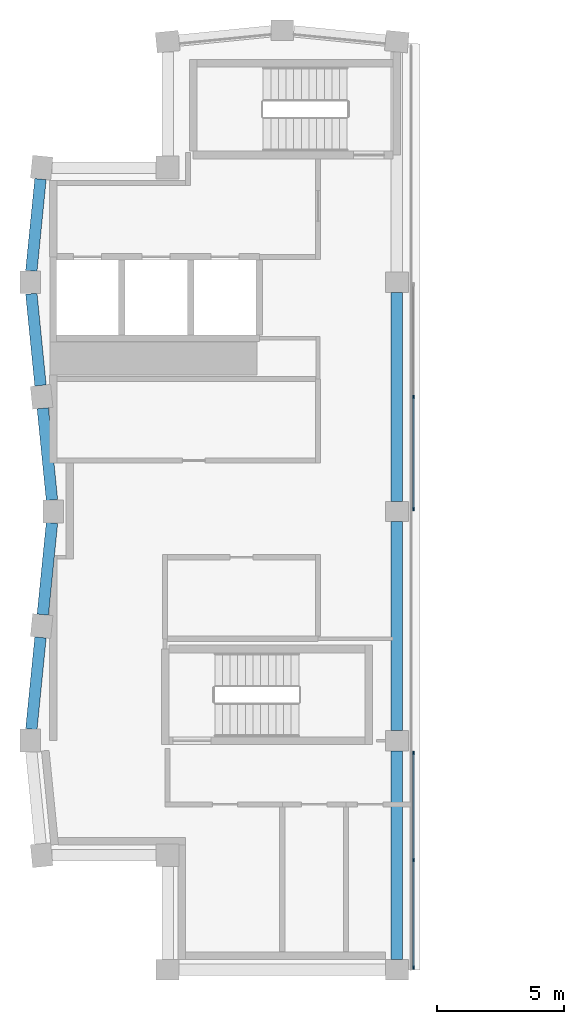
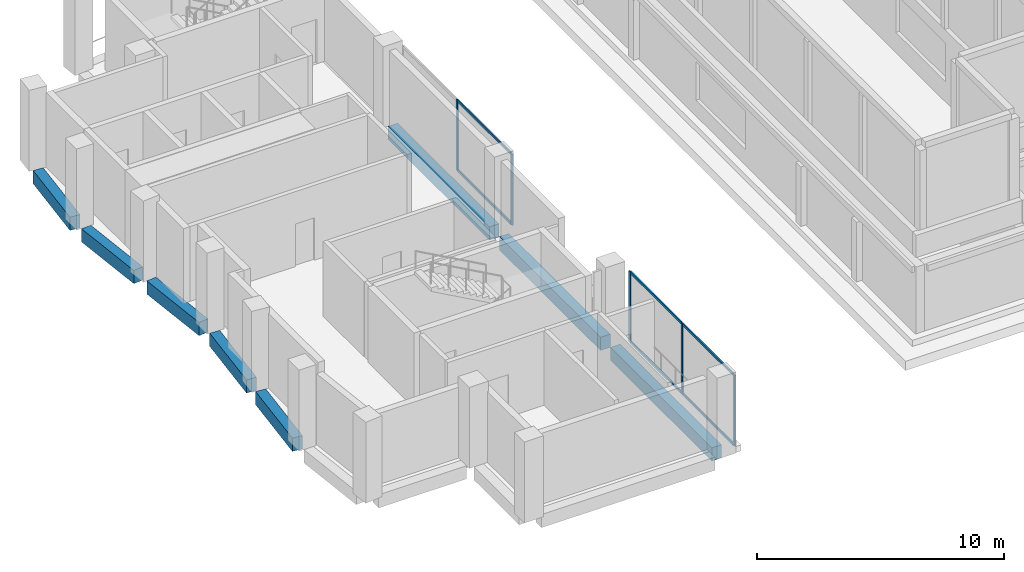
# One storey, part 2 of 8: 11 members, 8 beams, 2 elements without a shape of their own.
"""IFC4 building model written with IfcOpenShell, lengths in metres."""

from ifc_helpers import new_model, si_unit, direction, frame, origin, origin_2d, place, context, subcontext, project, spatial, rectangle, extrude, material, material_profile, profile_set, type_object, element, aggregate, save


model = new_model("IFC4")

# Units and contexts
model_context = context("Model", 3, precision=1e-05, world=origin(), true_north=direction((0.0, 1.0)))
body_context = subcontext(model_context, "Body", "Model", "MODEL_VIEW")
ifc_project = project(units=[si_unit("LENGTHUNIT", "METRE"), si_unit("AREAUNIT", "SQUARE_METRE"), si_unit("VOLUMEUNIT", "CUBIC_METRE"), si_unit("PLANEANGLEUNIT", "RADIAN"), si_unit("MASSUNIT", "GRAM", prefix="KILO")], contexts=[model_context])

# Site, building, storey
site_placement = place(None, origin())
site = spatial("IfcSite", under=ifc_project, at=site_placement, CompositionType="ELEMENT")
building_placement = place(site_placement, origin())
building = spatial("IfcBuilding", under=site, at=building_placement, Name="Brondeck Convention Tower", CompositionType="ELEMENT")
storey_placement = place(building_placement, frame((0.0, 0.0, 302.800048828125)))
storey = spatial("IfcBuildingStorey", under=building, at=storey_placement, Name="L75", CompositionType="ELEMENT", Elevation=302.800048828125)

# Curtain wall, members
ifc_material_1 = material(Name="Aluminium, bronze anodised", Category="aluminium")
curtain_wall_type = type_object("IfcCurtainWallType", Name="Crown screen curtain wall", PredefinedType="NOTDEFINED", material=ifc_material_1)
curtain_wall_1_placement = place(storey_placement, origin())
curtain_wall_1 = element("IfcCurtainWall", 1, at=curtain_wall_1_placement, inside=storey, type_object=curtain_wall_type, Name="ENV-CW4-L75-K1-SLOT-W-00-2", PredefinedType="NOTDEFINED")
ifc_material_profile_1 = material_profile(ifc_material_1, rectangle(XDim=0.06005859375, YDim=0.139892578125, at=origin_2d()), Name="CW4 mullion")
ifc_profile_set_1 = profile_set([ifc_material_profile_1], Name="Aluminium, bronze anodised")
member_type_1 = type_object("IfcMemberType", Name="CW4 mullion", PredefinedType="MULLION", material=ifc_profile_set_1)
member_1_placement = place(storey_placement, frame((14.14990234375, 35.52001953125, 0.0), z_axis=(0.0, 0.0, 1.0), x_axis=(1.0, 0.0, 0.0)))
member_1 = element("IfcMember", 2, at=member_1_placement, type_object=member_type_1, Name="CW4 mullion 1", PredefinedType="MULLION", context=body_context, shape_type="SweptSolid", body=[
    extrude(rectangle(XDim=0.06005859375, YDim=0.139892578125, at=origin_2d()), origin(), (0.0, 0.0, 1.0), 3.5),
])
member_2_placement = place(storey_placement, frame((14.14990234375, 31.304931640625, 0.0), z_axis=(0.0, 0.0, 1.0), x_axis=(1.0, 0.0, 0.0)))
member_2 = element("IfcMember", 3, at=member_2_placement, type_object=member_type_1, Name="CW4 mullion 2", PredefinedType="MULLION", context=body_context, shape_type="SweptSolid", body=[
    extrude(rectangle(XDim=0.06005859375, YDim=0.139892578125, at=origin_2d()), origin(), (0.0, 0.0, 1.0), 3.5),
])
member_3_placement = place(storey_placement, frame((14.14990234375, 27.090087890625, 0.0), z_axis=(0.0, 0.0, 1.0), x_axis=(1.0, 0.0, 0.0)))
member_3 = element("IfcMember", 4, at=member_3_placement, type_object=member_type_1, Name="CW4 mullion 3", PredefinedType="MULLION", context=body_context, shape_type="SweptSolid", body=[
    extrude(rectangle(XDim=0.06005859375, YDim=0.139892578125, at=origin_2d()), origin(), (0.0, 0.0, 1.0), 3.5),
])

curtain_wall_2_placement = place(storey_placement, origin())
curtain_wall_2 = element("IfcCurtainWall", 5, at=curtain_wall_2_placement, inside=storey, type_object=curtain_wall_type, Name="ENV-CW4-L75-K1-SLOT-W-05", PredefinedType="NOTDEFINED")
member_4_placement = place(storey_placement, frame((14.14990234375, 49.5, 0.0), z_axis=(0.0, 0.0, 1.0), x_axis=(1.0, 0.0, 0.0)))
member_4 = element("IfcMember", 6, at=member_4_placement, type_object=member_type_1, Name="CW4 mullion 2", PredefinedType="MULLION", context=body_context, shape_type="SweptSolid", body=[
    extrude(rectangle(XDim=0.06005859375, YDim=0.139892578125, at=origin_2d()), origin(), (0.0, 0.0, 1.0), 3.5),
])
member_5_placement = place(storey_placement, frame((14.14990234375, 45.090087890625, 0.0), z_axis=(0.0, 0.0, 1.0), x_axis=(1.0, 0.0, 0.0)))
member_5 = element("IfcMember", 7, at=member_5_placement, type_object=member_type_1, Name="CW4 mullion 3", PredefinedType="MULLION", context=body_context, shape_type="SweptSolid", body=[
    extrude(rectangle(XDim=0.06005859375, YDim=0.139892578125, at=origin_2d()), origin(), (0.0, 0.0, 1.0), 3.5),
])

# Member
ifc_material_profile_2 = material_profile(ifc_material_1, rectangle(XDim=0.06005859375, YDim=0.1201171875, at=origin_2d()), Name="CW4 transom")
ifc_profile_set_2 = profile_set([ifc_material_profile_2], Name="Aluminium, bronze anodised")
member_type_2 = type_object("IfcMemberType", Name="CW4 transom", PredefinedType="USERDEFINED", material=ifc_profile_set_2)
member_6_placement = place(storey_placement, frame((14.14990234375, 35.489990234375, 0.030029296875), z_axis=(0.0, -1.0, 0.0), x_axis=(1.0, 0.0, 0.0)))
member_6 = element("IfcMember", 8, at=member_6_placement, type_object=member_type_2, Name="CW4 transom 1.1", ObjectType="TRANSOM", PredefinedType="USERDEFINED", context=body_context, shape_type="SweptSolid", body=[
    extrude(rectangle(XDim=0.06005859375, YDim=0.1201171875, at=origin_2d()), origin(), (0.0, 0.0, 1.0), 4.155029296875),
])

member_7_placement = place(storey_placement, frame((14.14990234375, 35.489990234375, 3.469970703125), z_axis=(0.0, -1.0, 0.0), x_axis=(1.0, 0.0, 0.0)))
member_7 = element("IfcMember", 9, at=member_7_placement, type_object=member_type_2, Name="CW4 transom 1.2", ObjectType="TRANSOM", PredefinedType="USERDEFINED", context=body_context, shape_type="SweptSolid", body=[
    extrude(rectangle(XDim=0.06005859375, YDim=0.1201171875, at=origin_2d()), origin(), (0.0, 0.0, 1.0), 4.155029296875),
])

member_8_placement = place(storey_placement, frame((14.14990234375, 31.27490234375, 0.030029296875), z_axis=(0.0, -1.0, 0.0), x_axis=(1.0, 0.0, 0.0)))
member_8 = element("IfcMember", 10, at=member_8_placement, type_object=member_type_2, Name="CW4 transom 2.1", ObjectType="TRANSOM", PredefinedType="USERDEFINED", context=body_context, shape_type="SweptSolid", body=[
    extrude(rectangle(XDim=0.06005859375, YDim=0.1201171875, at=origin_2d()), origin(), (0.0, 0.0, 1.0), 4.15478515625),
])

member_9_placement = place(storey_placement, frame((14.14990234375, 31.27490234375, 3.469970703125), z_axis=(0.0, -1.0, 0.0), x_axis=(1.0, 0.0, 0.0)))
member_9 = element("IfcMember", 11, at=member_9_placement, type_object=member_type_2, Name="CW4 transom 2.2", ObjectType="TRANSOM", PredefinedType="USERDEFINED", context=body_context, shape_type="SweptSolid", body=[
    extrude(rectangle(XDim=0.06005859375, YDim=0.1201171875, at=origin_2d()), origin(), (0.0, 0.0, 1.0), 4.15478515625),
])

aggregate(curtain_wall_1, [member_1, member_2, member_3, member_6, member_7, member_8, member_9])

member_10_placement = place(storey_placement, frame((14.14990234375, 49.469970703125, 0.030029296875), z_axis=(0.0, -1.0, 0.0), x_axis=(1.0, 0.0, 0.0)))
member_10 = element("IfcMember", 12, at=member_10_placement, type_object=member_type_2, Name="CW4 transom 2.1", ObjectType="TRANSOM", PredefinedType="USERDEFINED", context=body_context, shape_type="SweptSolid", body=[
    extrude(rectangle(XDim=0.06005859375, YDim=0.1201171875, at=origin_2d()), origin(), (0.0, 0.0, 1.0), 4.349853515625),
])

member_11_placement = place(storey_placement, frame((14.14990234375, 49.469970703125, 3.469970703125), z_axis=(0.0, -1.0, 0.0), x_axis=(1.0, 0.0, 0.0)))
member_11 = element("IfcMember", 13, at=member_11_placement, type_object=member_type_2, Name="CW4 transom 2.2", ObjectType="TRANSOM", PredefinedType="USERDEFINED", context=body_context, shape_type="SweptSolid", body=[
    extrude(rectangle(XDim=0.06005859375, YDim=0.1201171875, at=origin_2d()), origin(), (0.0, 0.0, 1.0), 4.349853515625),
])

aggregate(curtain_wall_2, [member_4, member_5, member_10, member_11])

# Beams
ifc_material_2 = material(Name="Concrete C50/60", Category="concrete")
ifc_material_profile_3 = material_profile(ifc_material_2, rectangle(XDim=0.449951171875, YDim=0.64990234375, at=origin_2d()), Name="Precast spandrel 450x650 Concrete C50/60")
ifc_profile_set_3 = profile_set([ifc_material_profile_3], Name="Concrete C50/60")
beam_type = type_object("IfcBeamType", Name="Precast spandrel 450x650 Concrete C50/60", PredefinedType="SPANDREL", material=ifc_profile_set_3)
for number, where, z_axis, x_axis, name in (
    (14, (13.5, 27.39990234375, -0.324951171875), (0.0, 1.0, 0.0), (-1.0, 0.0, 0.0), "STR-SP-L75K1-002"),
    (15, (13.5, 36.39990234375, -0.324951171875), (0.0, 1.0, 0.0), (-1.0, 0.0, 0.0), "STR-SP-L75K1-003"),
    (16, (13.5, 45.39990234375, -0.324951171875), (0.0, 1.0, 0.0), (-1.0, 0.0, 0.0), "STR-SP-L75K1-004"),
):
    element("IfcBeam", number, at=place(storey_placement, frame(where, z_axis=z_axis, x_axis=x_axis)), inside=storey, type_object=beam_type, Name=name, PredefinedType="SPANDREL", context=body_context, shape_type="SweptSolid", body=[
        extrude(rectangle(XDim=0.449951171875, YDim=0.64990234375, at=origin_2d()), origin(), (0.0, 0.0, 1.0), 8.2001953125),
    ])
for number, where, z_axis, x_axis, name in (
    (17, (-0.494873046875, 58.05224609375, -0.324951171875), (-0.099470334057, -0.995040528141, 0.0), (0.995040528141, -0.099470334057, 0.0), "STR-SP-L75K1-010"),
    (18, (-0.85498046875, 53.550048828125, -0.324951171875), (0.099470334057, -0.995040528141, 0.0), (0.995040528141, 0.099470334057, 0.0), "STR-SP-L75K1-011"),
    (19, (-0.4052734375, 49.05224609375, -0.324951171875), (0.099537103649, -0.995033851182, 0.0), (0.995033851182, 0.099537103649, 0.0), "STR-SP-L75K1-012"),
    (20, (-0.044921875, 44.550048828125, -0.324951171875), (-0.099537103649, -0.995033851182, 0.0), (0.995033851182, -0.099537103649, 0.0), "STR-SP-L75K1-013"),
    (21, (-0.494873046875, 40.05224609375, -0.324951171875), (-0.099470334057, -0.995040528141, 0.0), (0.995040528141, -0.099470334057, 0.0), "STR-SP-L75K1-014"),
):
    element("IfcBeam", number, at=place(storey_placement, frame(where, z_axis=z_axis, x_axis=x_axis)), inside=storey, type_object=beam_type, Name=name, PredefinedType="SPANDREL", context=body_context, shape_type="SweptSolid", body=[
        extrude(rectangle(XDim=0.449951171875, YDim=0.64990234375, at=origin_2d()), origin(), (0.0, 0.0, 1.0), 3.620361328125),
    ])

save(model, "model.ifc")
